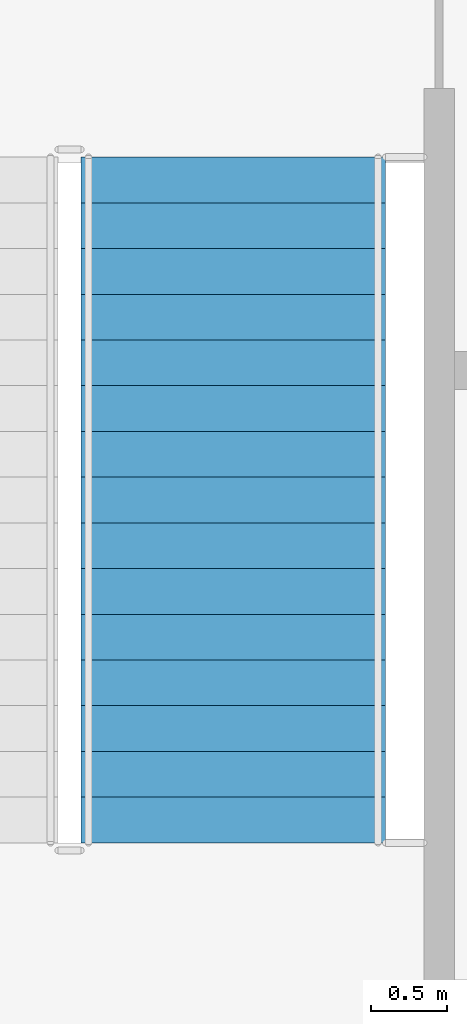
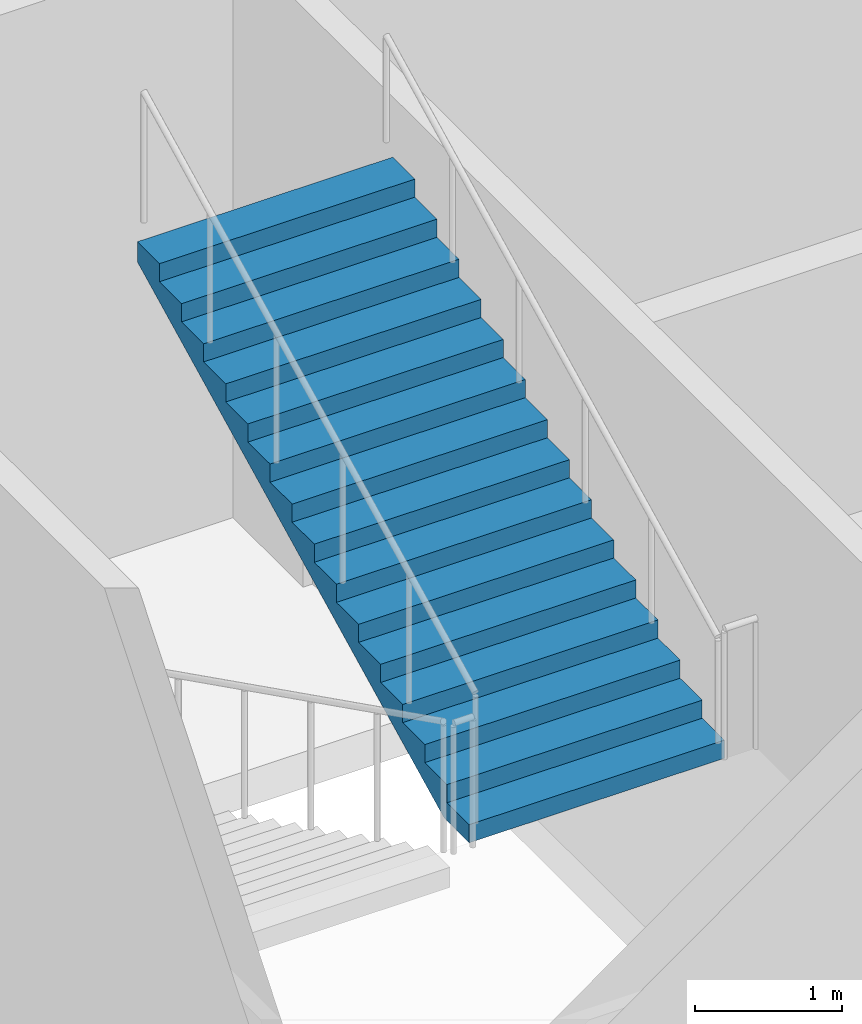
# One storey, part 79 of 100: 1 stair flight, 1 element without a shape of its own.
"""IFC4 building model written with IfcOpenShell, lengths in metres."""

from ifc_helpers import new_model, si_unit, direction, frame, origin, place, context, subcontext, project, spatial, faceted_brep, material, type_object, element, aggregate, save


model = new_model("IFC4")

# Units and contexts
model_context = context("Model", 3, precision=1e-05, world=origin(), true_north=direction((0.0, 1.0)))
body_context = subcontext(model_context, "Body", "Model", "MODEL_VIEW")
ifc_project = project(units=[si_unit("LENGTHUNIT", "METRE"), si_unit("AREAUNIT", "SQUARE_METRE"), si_unit("VOLUMEUNIT", "CUBIC_METRE"), si_unit("PLANEANGLEUNIT", "RADIAN"), si_unit("MASSUNIT", "GRAM", prefix="KILO")], contexts=[model_context])

# Site, building, storey
site_placement = place(None, origin())
site = spatial("IfcSite", under=ifc_project, at=site_placement, CompositionType="ELEMENT")
building_placement = place(site_placement, origin())
building = spatial("IfcBuilding", under=site, at=building_placement, Name="Kiln Court Media Centre", CompositionType="ELEMENT")
storey_placement = place(building_placement, frame((0.0, 0.0, 15.0)))
storey = spatial("IfcBuildingStorey", under=building, at=storey_placement, Name="L03", CompositionType="ELEMENT", Elevation=15.0)

# Stair, stair flight
ifc_material_1 = material(Name="Concrete C40/50", Category="concrete")
stair_type = type_object("IfcStairType", Name="Concrete C40/50 dog-leg stair 2000 wide, 150 riser", PredefinedType="HALF_TURN_STAIR", material=ifc_material_1)
stair_placement = place(storey_placement, origin())
stair = element("IfcStair", 1, at=stair_placement, inside=storey, type_object=stair_type, Name="ST-07 L03", PredefinedType="HALF_TURN_STAIR")
ifc_material_2 = material(Name="Concrete C40/50", Category="concrete")
stair_flight_type = type_object("IfcStairFlightType", Name="Concrete C40/50 stair flight 2000 wide, 150 riser, 300 going", PredefinedType="STRAIGHT", material=ifc_material_2)
stair_flight_placement = place(storey_placement, frame((3.35009765625, 59.89990234375, 2.39990234375), z_axis=(0.0, 0.0, 1.0), x_axis=(0.0, 1.0, 0.0)))
stair_flight = element("IfcStairFlight", 2, at=stair_flight_placement, type_object=stair_flight_type, Name="L03-ST-5005 flight 5011", NumberOfRisers=16, NumberOfTreads=15, PredefinedType="STRAIGHT", RiserHeight=0.15, TreadLength=0.3, context=body_context, shape_type="Brep", body=[
    faceted_brep([(0.335205078125, -1.0, 0.0), (4.5, -1.0, 2.08251953125), (4.5, -1.0, 2.25), (4.199951171875, -1.0, 2.25), (4.199951171875, -1.0, 2.10009765625), (3.89990234375, -1.0, 2.10009765625), (3.89990234375, -1.0, 1.949951171875), (3.60009765625, -1.0, 1.949951171875), (3.60009765625, -1.0, 1.800048828125), (3.300048828125, -1.0, 1.800048828125), (3.300048828125, -1.0, 1.64990234375), (3.0, -1.0, 1.64990234375), (3.0, -1.0, 1.5), (2.699951171875, -1.0, 1.5), (2.699951171875, -1.0, 1.35009765625), (2.39990234375, -1.0, 1.35009765625), (2.39990234375, -1.0, 1.199951171875), (2.10009765625, -1.0, 1.199951171875), (2.10009765625, -1.0, 1.050048828125), (1.800048828125, -1.0, 1.050048828125), (1.800048828125, -1.0, 0.89990234375), (1.5, -1.0, 0.89990234375), (1.5, -1.0, 0.75), (1.199951171875, -1.0, 0.75), (1.199951171875, -1.0, 0.60009765625), (0.89990234375, -1.0, 0.60009765625), (0.89990234375, -1.0, 0.449951171875), (0.60009765625, -1.0, 0.449951171875), (0.60009765625, -1.0, 0.300048828125), (0.300048828125, -1.0, 0.300048828125), (0.300048828125, -1.0, 0.14990234375), (0.0, -1.0, 0.14990234375), (0.0, -1.0, 0.0), (0.0, 1.0, 0.0), (0.0, 1.0, 0.14990234375), (0.300048828125, 1.0, 0.14990234375), (0.300048828125, 1.0, 0.300048828125), (0.60009765625, 1.0, 0.300048828125), (0.60009765625, 1.0, 0.449951171875), (0.89990234375, 1.0, 0.449951171875), (0.89990234375, 1.0, 0.60009765625), (1.199951171875, 1.0, 0.60009765625), (1.199951171875, 1.0, 0.75), (1.5, 1.0, 0.75), (1.5, 1.0, 0.89990234375), (1.800048828125, 1.0, 0.89990234375), (1.800048828125, 1.0, 1.050048828125), (2.10009765625, 1.0, 1.050048828125), (2.10009765625, 1.0, 1.199951171875), (2.39990234375, 1.0, 1.199951171875), (2.39990234375, 1.0, 1.35009765625), (2.699951171875, 1.0, 1.35009765625), (2.699951171875, 1.0, 1.5), (3.0, 1.0, 1.5), (3.0, 1.0, 1.64990234375), (3.300048828125, 1.0, 1.64990234375), (3.300048828125, 1.0, 1.800048828125), (3.60009765625, 1.0, 1.800048828125), (3.60009765625, 1.0, 1.949951171875), (3.89990234375, 1.0, 1.949951171875), (3.89990234375, 1.0, 2.10009765625), (4.199951171875, 1.0, 2.10009765625), (4.199951171875, 1.0, 2.25), (4.5, 1.0, 2.25), (4.5, 1.0, 2.08251953125), (0.335205078125, 1.0, 0.0), (4.5, 0.10009765625, 2.08251953125), (0.335205078125, 0.10009765625, 0.0), (4.5, 0.080078125, 2.08251953125), (0.335205078125, 0.080078125, 0.0), (4.5, 0.06005859375, 2.08251953125), (0.335205078125, 0.06005859375, 0.0), (4.5, 0.0400390625, 2.08251953125), (0.335205078125, 0.0400390625, 0.0), (4.5, 0.02001953125, 2.08251953125), (0.335205078125, 0.02001953125, 0.0), (4.5, 0.0, 2.08251953125), (0.335205078125, 0.0, 0.0), (4.5, -0.02001953125, 2.08251953125), (0.335205078125, -0.02001953125, 0.0), (4.5, -0.0400390625, 2.08251953125), (0.335205078125, -0.0400390625, 0.0), (4.5, -0.06005859375, 2.08251953125), (0.335205078125, -0.06005859375, 0.0), (4.5, -0.080078125, 2.08251953125), (0.335205078125, -0.080078125, 0.0), (4.5, -0.10009765625, 2.08251953125), (0.335205078125, -0.10009765625, 0.0), (4.5, 0.10009765625, 2.25), (4.5, 0.080078125, 2.25), (4.5, 0.06005859375, 2.25), (4.5, 0.0400390625, 2.25), (4.5, 0.02001953125, 2.25), (4.5, 0.0, 2.25), (4.5, -0.02001953125, 2.25), (4.5, -0.0400390625, 2.25), (4.5, -0.06005859375, 2.25), (4.5, -0.080078125, 2.25), (4.5, -0.10009765625, 2.25), (4.199951171875, 0.10009765625, 2.25), (4.199951171875, 0.080078125, 2.25), (4.199951171875, 0.06005859375, 2.25), (4.199951171875, 0.0400390625, 2.25), (4.199951171875, 0.02001953125, 2.25), (4.199951171875, 0.0, 2.25), (4.199951171875, -0.02001953125, 2.25), (4.199951171875, -0.0400390625, 2.25), (4.199951171875, -0.06005859375, 2.25), (4.199951171875, -0.080078125, 2.25), (4.199951171875, -0.10009765625, 2.25), (4.199951171875, 0.10009765625, 2.10009765625), (4.199951171875, 0.080078125, 2.10009765625), (4.199951171875, 0.06005859375, 2.10009765625), (4.199951171875, 0.0400390625, 2.10009765625), (4.199951171875, 0.02001953125, 2.10009765625), (4.199951171875, 0.0, 2.10009765625), (4.199951171875, -0.02001953125, 2.10009765625), (4.199951171875, -0.0400390625, 2.10009765625), (4.199951171875, -0.06005859375, 2.10009765625), (4.199951171875, -0.080078125, 2.10009765625), (4.199951171875, -0.10009765625, 2.10009765625), (3.89990234375, 0.10009765625, 2.10009765625), (3.89990234375, 0.080078125, 2.10009765625), (3.89990234375, 0.06005859375, 2.10009765625), (3.89990234375, 0.0400390625, 2.10009765625), (3.89990234375, 0.02001953125, 2.10009765625), (3.89990234375, 0.0, 2.10009765625), (3.89990234375, -0.02001953125, 2.10009765625), (3.89990234375, -0.0400390625, 2.10009765625), (3.89990234375, -0.06005859375, 2.10009765625), (3.89990234375, -0.080078125, 2.10009765625), (3.89990234375, -0.10009765625, 2.10009765625), (3.89990234375, 0.10009765625, 1.949951171875), (3.89990234375, 0.080078125, 1.949951171875), (3.89990234375, 0.06005859375, 1.949951171875), (3.89990234375, 0.0400390625, 1.949951171875), (3.89990234375, 0.02001953125, 1.949951171875), (3.89990234375, 0.0, 1.949951171875), (3.89990234375, -0.02001953125, 1.949951171875), (3.89990234375, -0.0400390625, 1.949951171875), (3.89990234375, -0.06005859375, 1.949951171875), (3.89990234375, -0.080078125, 1.949951171875), (3.89990234375, -0.10009765625, 1.949951171875), (3.60009765625, 0.10009765625, 1.949951171875), (3.60009765625, 0.080078125, 1.949951171875), (3.60009765625, 0.06005859375, 1.949951171875), (3.60009765625, 0.0400390625, 1.949951171875), (3.60009765625, 0.02001953125, 1.949951171875), (3.60009765625, 0.0, 1.949951171875), (3.60009765625, -0.02001953125, 1.949951171875), (3.60009765625, -0.0400390625, 1.949951171875), (3.60009765625, -0.06005859375, 1.949951171875), (3.60009765625, -0.080078125, 1.949951171875), (3.60009765625, -0.10009765625, 1.949951171875), (3.60009765625, 0.10009765625, 1.800048828125), (3.60009765625, 0.080078125, 1.800048828125), (3.60009765625, 0.06005859375, 1.800048828125), (3.60009765625, 0.0400390625, 1.800048828125), (3.60009765625, 0.02001953125, 1.800048828125), (3.60009765625, 0.0, 1.800048828125), (3.60009765625, -0.02001953125, 1.800048828125), (3.60009765625, -0.0400390625, 1.800048828125), (3.60009765625, -0.06005859375, 1.800048828125), (3.60009765625, -0.080078125, 1.800048828125), (3.60009765625, -0.10009765625, 1.800048828125), (3.300048828125, 0.10009765625, 1.800048828125), (3.300048828125, 0.080078125, 1.800048828125), (3.300048828125, 0.06005859375, 1.800048828125), (3.300048828125, 0.0400390625, 1.800048828125), (3.300048828125, 0.02001953125, 1.800048828125), (3.300048828125, 0.0, 1.800048828125), (3.300048828125, -0.02001953125, 1.800048828125), (3.300048828125, -0.0400390625, 1.800048828125), (3.300048828125, -0.06005859375, 1.800048828125), (3.300048828125, -0.080078125, 1.800048828125), (3.300048828125, -0.10009765625, 1.800048828125), (3.300048828125, 0.10009765625, 1.64990234375), (3.300048828125, 0.080078125, 1.64990234375), (3.300048828125, 0.06005859375, 1.64990234375), (3.300048828125, 0.0400390625, 1.64990234375), (3.300048828125, 0.02001953125, 1.64990234375), (3.300048828125, 0.0, 1.64990234375), (3.300048828125, -0.02001953125, 1.64990234375), (3.300048828125, -0.0400390625, 1.64990234375), (3.300048828125, -0.06005859375, 1.64990234375), (3.300048828125, -0.080078125, 1.64990234375), (3.300048828125, -0.10009765625, 1.64990234375), (3.0, 0.10009765625, 1.64990234375), (3.0, 0.080078125, 1.64990234375), (3.0, 0.06005859375, 1.64990234375), (3.0, 0.0400390625, 1.64990234375), (3.0, 0.02001953125, 1.64990234375), (3.0, 0.0, 1.64990234375), (3.0, -0.02001953125, 1.64990234375), (3.0, -0.0400390625, 1.64990234375), (3.0, -0.06005859375, 1.64990234375), (3.0, -0.080078125, 1.64990234375), (3.0, -0.10009765625, 1.64990234375), (3.0, 0.10009765625, 1.5), (3.0, 0.080078125, 1.5), (3.0, 0.06005859375, 1.5), (3.0, 0.0400390625, 1.5), (3.0, 0.02001953125, 1.5), (3.0, 0.0, 1.5), (3.0, -0.02001953125, 1.5), (3.0, -0.0400390625, 1.5), (3.0, -0.06005859375, 1.5), (3.0, -0.080078125, 1.5), (3.0, -0.10009765625, 1.5), (2.699951171875, 0.10009765625, 1.5), (2.699951171875, 0.080078125, 1.5), (2.699951171875, 0.06005859375, 1.5), (2.699951171875, 0.0400390625, 1.5), (2.699951171875, 0.02001953125, 1.5), (2.699951171875, 0.0, 1.5), (2.699951171875, -0.02001953125, 1.5), (2.699951171875, -0.0400390625, 1.5), (2.699951171875, -0.06005859375, 1.5), (2.699951171875, -0.080078125, 1.5), (2.699951171875, -0.10009765625, 1.5), (2.699951171875, 0.10009765625, 1.35009765625), (2.699951171875, 0.080078125, 1.35009765625), (2.699951171875, 0.06005859375, 1.35009765625), (2.699951171875, 0.0400390625, 1.35009765625), (2.699951171875, 0.02001953125, 1.35009765625), (2.699951171875, 0.0, 1.35009765625), (2.699951171875, -0.02001953125, 1.35009765625), (2.699951171875, -0.0400390625, 1.35009765625), (2.699951171875, -0.06005859375, 1.35009765625), (2.699951171875, -0.080078125, 1.35009765625), (2.699951171875, -0.10009765625, 1.35009765625), (2.39990234375, 0.10009765625, 1.35009765625), (2.39990234375, 0.080078125, 1.35009765625), (2.39990234375, 0.06005859375, 1.35009765625), (2.39990234375, 0.0400390625, 1.35009765625), (2.39990234375, 0.02001953125, 1.35009765625), (2.39990234375, 0.0, 1.35009765625), (2.39990234375, -0.02001953125, 1.35009765625), (2.39990234375, -0.0400390625, 1.35009765625), (2.39990234375, -0.06005859375, 1.35009765625), (2.39990234375, -0.080078125, 1.35009765625), (2.39990234375, -0.10009765625, 1.35009765625), (2.39990234375, 0.10009765625, 1.199951171875), (2.39990234375, 0.080078125, 1.199951171875), (2.39990234375, 0.06005859375, 1.199951171875), (2.39990234375, 0.0400390625, 1.199951171875), (2.39990234375, 0.02001953125, 1.199951171875), (2.39990234375, 0.0, 1.199951171875), (2.39990234375, -0.02001953125, 1.199951171875), (2.39990234375, -0.0400390625, 1.199951171875), (2.39990234375, -0.06005859375, 1.199951171875), (2.39990234375, -0.080078125, 1.199951171875), (2.39990234375, -0.10009765625, 1.199951171875), (2.10009765625, 0.10009765625, 1.199951171875), (2.10009765625, 0.080078125, 1.199951171875), (2.10009765625, 0.06005859375, 1.199951171875), (2.10009765625, 0.0400390625, 1.199951171875), (2.10009765625, 0.02001953125, 1.199951171875), (2.10009765625, 0.0, 1.199951171875), (2.10009765625, -0.02001953125, 1.199951171875), (2.10009765625, -0.0400390625, 1.199951171875), (2.10009765625, -0.06005859375, 1.199951171875), (2.10009765625, -0.080078125, 1.199951171875), (2.10009765625, -0.10009765625, 1.199951171875), (2.10009765625, 0.10009765625, 1.050048828125), (2.10009765625, 0.080078125, 1.050048828125), (2.10009765625, 0.06005859375, 1.050048828125), (2.10009765625, 0.0400390625, 1.050048828125), (2.10009765625, 0.02001953125, 1.050048828125), (2.10009765625, 0.0, 1.050048828125), (2.10009765625, -0.02001953125, 1.050048828125), (2.10009765625, -0.0400390625, 1.050048828125), (2.10009765625, -0.06005859375, 1.050048828125), (2.10009765625, -0.080078125, 1.050048828125), (2.10009765625, -0.10009765625, 1.050048828125), (1.800048828125, 0.10009765625, 1.050048828125), (1.800048828125, 0.080078125, 1.050048828125), (1.800048828125, 0.06005859375, 1.050048828125), (1.800048828125, 0.0400390625, 1.050048828125), (1.800048828125, 0.02001953125, 1.050048828125), (1.800048828125, 0.0, 1.050048828125), (1.800048828125, -0.02001953125, 1.050048828125), (1.800048828125, -0.0400390625, 1.050048828125), (1.800048828125, -0.06005859375, 1.050048828125), (1.800048828125, -0.080078125, 1.050048828125), (1.800048828125, -0.10009765625, 1.050048828125), (1.800048828125, 0.10009765625, 0.89990234375), (1.800048828125, 0.080078125, 0.89990234375), (1.800048828125, 0.06005859375, 0.89990234375), (1.800048828125, 0.0400390625, 0.89990234375), (1.800048828125, 0.02001953125, 0.89990234375), (1.800048828125, 0.0, 0.89990234375), (1.800048828125, -0.02001953125, 0.89990234375), (1.800048828125, -0.0400390625, 0.89990234375), (1.800048828125, -0.06005859375, 0.89990234375), (1.800048828125, -0.080078125, 0.89990234375), (1.800048828125, -0.10009765625, 0.89990234375), (1.5, 0.10009765625, 0.89990234375), (1.5, 0.080078125, 0.89990234375), (1.5, 0.06005859375, 0.89990234375), (1.5, 0.0400390625, 0.89990234375), (1.5, 0.02001953125, 0.89990234375), (1.5, 0.0, 0.89990234375), (1.5, -0.02001953125, 0.89990234375), (1.5, -0.0400390625, 0.89990234375), (1.5, -0.06005859375, 0.89990234375), (1.5, -0.080078125, 0.89990234375), (1.5, -0.10009765625, 0.89990234375), (1.5, 0.10009765625, 0.75), (1.5, 0.080078125, 0.75), (1.5, 0.06005859375, 0.75), (1.5, 0.0400390625, 0.75), (1.5, 0.02001953125, 0.75), (1.5, 0.0, 0.75), (1.5, -0.02001953125, 0.75), (1.5, -0.0400390625, 0.75), (1.5, -0.06005859375, 0.75), (1.5, -0.080078125, 0.75), (1.5, -0.10009765625, 0.75), (1.199951171875, 0.10009765625, 0.75), (1.199951171875, 0.080078125, 0.75), (1.199951171875, 0.06005859375, 0.75), (1.199951171875, 0.0400390625, 0.75), (1.199951171875, 0.02001953125, 0.75), (1.199951171875, 0.0, 0.75), (1.199951171875, -0.02001953125, 0.75), (1.199951171875, -0.0400390625, 0.75), (1.199951171875, -0.06005859375, 0.75), (1.199951171875, -0.080078125, 0.75), (1.199951171875, -0.10009765625, 0.75), (1.199951171875, 0.10009765625, 0.60009765625), (1.199951171875, 0.080078125, 0.60009765625), (1.199951171875, 0.06005859375, 0.60009765625), (1.199951171875, 0.0400390625, 0.60009765625), (1.199951171875, 0.02001953125, 0.60009765625), (1.199951171875, 0.0, 0.60009765625), (1.199951171875, -0.02001953125, 0.60009765625), (1.199951171875, -0.0400390625, 0.60009765625), (1.199951171875, -0.06005859375, 0.60009765625), (1.199951171875, -0.080078125, 0.60009765625), (1.199951171875, -0.10009765625, 0.60009765625), (0.89990234375, 0.10009765625, 0.60009765625), (0.89990234375, 0.080078125, 0.60009765625), (0.89990234375, 0.06005859375, 0.60009765625), (0.89990234375, 0.0400390625, 0.60009765625), (0.89990234375, 0.02001953125, 0.60009765625), (0.89990234375, 0.0, 0.60009765625), (0.89990234375, -0.02001953125, 0.60009765625), (0.89990234375, -0.0400390625, 0.60009765625), (0.89990234375, -0.06005859375, 0.60009765625), (0.89990234375, -0.080078125, 0.60009765625), (0.89990234375, -0.10009765625, 0.60009765625), (0.89990234375, 0.10009765625, 0.449951171875), (0.89990234375, 0.080078125, 0.449951171875), (0.89990234375, 0.06005859375, 0.449951171875), (0.89990234375, 0.0400390625, 0.449951171875), (0.89990234375, 0.02001953125, 0.449951171875), (0.89990234375, 0.0, 0.449951171875), (0.89990234375, -0.02001953125, 0.449951171875), (0.89990234375, -0.0400390625, 0.449951171875), (0.89990234375, -0.06005859375, 0.449951171875), (0.89990234375, -0.080078125, 0.449951171875), (0.89990234375, -0.10009765625, 0.449951171875), (0.60009765625, 0.10009765625, 0.449951171875), (0.60009765625, 0.080078125, 0.449951171875), (0.60009765625, 0.06005859375, 0.449951171875), (0.60009765625, 0.0400390625, 0.449951171875), (0.60009765625, 0.02001953125, 0.449951171875), (0.60009765625, 0.0, 0.449951171875), (0.60009765625, -0.02001953125, 0.449951171875), (0.60009765625, -0.0400390625, 0.449951171875), (0.60009765625, -0.06005859375, 0.449951171875), (0.60009765625, -0.080078125, 0.449951171875), (0.60009765625, -0.10009765625, 0.449951171875), (0.60009765625, 0.10009765625, 0.300048828125), (0.60009765625, 0.080078125, 0.300048828125), (0.60009765625, 0.06005859375, 0.300048828125), (0.60009765625, 0.0400390625, 0.300048828125), (0.60009765625, 0.02001953125, 0.300048828125), (0.60009765625, 0.0, 0.300048828125), (0.60009765625, -0.02001953125, 0.300048828125), (0.60009765625, -0.0400390625, 0.300048828125), (0.60009765625, -0.06005859375, 0.300048828125), (0.60009765625, -0.080078125, 0.300048828125), (0.60009765625, -0.10009765625, 0.300048828125), (0.300048828125, 0.10009765625, 0.300048828125), (0.300048828125, 0.080078125, 0.300048828125), (0.300048828125, 0.06005859375, 0.300048828125), (0.300048828125, 0.0400390625, 0.300048828125), (0.300048828125, 0.02001953125, 0.300048828125), (0.300048828125, 0.0, 0.300048828125), (0.300048828125, -0.02001953125, 0.300048828125), (0.300048828125, -0.0400390625, 0.300048828125), (0.300048828125, -0.06005859375, 0.300048828125), (0.300048828125, -0.080078125, 0.300048828125), (0.300048828125, -0.10009765625, 0.300048828125), (0.300048828125, 0.10009765625, 0.14990234375), (0.300048828125, 0.080078125, 0.14990234375), (0.300048828125, 0.06005859375, 0.14990234375), (0.300048828125, 0.0400390625, 0.14990234375), (0.300048828125, 0.02001953125, 0.14990234375), (0.300048828125, 0.0, 0.14990234375), (0.300048828125, -0.02001953125, 0.14990234375), (0.300048828125, -0.0400390625, 0.14990234375), (0.300048828125, -0.06005859375, 0.14990234375), (0.300048828125, -0.080078125, 0.14990234375), (0.300048828125, -0.10009765625, 0.14990234375), (0.0, 0.10009765625, 0.14990234375), (0.0, 0.080078125, 0.14990234375), (0.0, 0.06005859375, 0.14990234375), (0.0, 0.0400390625, 0.14990234375), (0.0, 0.02001953125, 0.14990234375), (0.0, 0.0, 0.14990234375), (0.0, -0.02001953125, 0.14990234375), (0.0, -0.0400390625, 0.14990234375), (0.0, -0.06005859375, 0.14990234375), (0.0, -0.080078125, 0.14990234375), (0.0, -0.10009765625, 0.14990234375), (0.0, 0.10009765625, 0.0), (0.0, 0.080078125, 0.0), (0.0, 0.06005859375, 0.0), (0.0, 0.0400390625, 0.0), (0.0, 0.02001953125, 0.0), (0.0, 0.0, 0.0), (0.0, -0.02001953125, 0.0), (0.0, -0.0400390625, 0.0), (0.0, -0.06005859375, 0.0), (0.0, -0.080078125, 0.0), (0.0, -0.10009765625, 0.0)], [[[0, 1, 2, 3, 4, 5, 6, 7, 8, 9, 10, 11, 12, 13, 14, 15, 16, 17, 18, 19, 20, 21, 22, 23, 24, 25, 26, 27, 28, 29, 30, 31, 32]], [[33, 34, 35, 36, 37, 38, 39, 40, 41, 42, 43, 44, 45, 46, 47, 48, 49, 50, 51, 52, 53, 54, 55, 56, 57, 58, 59, 60, 61, 62, 63, 64, 65]], [[65, 64, 66, 67]], [[67, 66, 68, 69]], [[69, 68, 70, 71]], [[71, 70, 72, 73]], [[73, 72, 74, 75]], [[75, 74, 76, 77]], [[77, 76, 78, 79]], [[79, 78, 80, 81]], [[81, 80, 82, 83]], [[83, 82, 84, 85]], [[85, 84, 86, 87]], [[87, 86, 1, 0]], [[64, 63, 88, 66]], [[66, 88, 89, 68]], [[68, 89, 90, 70]], [[70, 90, 91, 72]], [[72, 91, 92, 74]], [[74, 92, 93, 76]], [[76, 93, 94, 78]], [[78, 94, 95, 80]], [[80, 95, 96, 82]], [[82, 96, 97, 84]], [[84, 97, 98, 86]], [[86, 98, 2, 1]], [[63, 62, 99, 88]], [[88, 99, 100, 89]], [[89, 100, 101, 90]], [[90, 101, 102, 91]], [[91, 102, 103, 92]], [[92, 103, 104, 93]], [[93, 104, 105, 94]], [[94, 105, 106, 95]], [[95, 106, 107, 96]], [[96, 107, 108, 97]], [[97, 108, 109, 98]], [[98, 109, 3, 2]], [[62, 61, 110, 99]], [[99, 110, 111, 100]], [[100, 111, 112, 101]], [[101, 112, 113, 102]], [[102, 113, 114, 103]], [[103, 114, 115, 104]], [[104, 115, 116, 105]], [[105, 116, 117, 106]], [[106, 117, 118, 107]], [[107, 118, 119, 108]], [[108, 119, 120, 109]], [[109, 120, 4, 3]], [[61, 60, 121, 110]], [[110, 121, 122, 111]], [[111, 122, 123, 112]], [[112, 123, 124, 113]], [[113, 124, 125, 114]], [[114, 125, 126, 115]], [[115, 126, 127, 116]], [[116, 127, 128, 117]], [[117, 128, 129, 118]], [[118, 129, 130, 119]], [[119, 130, 131, 120]], [[120, 131, 5, 4]], [[60, 59, 132, 121]], [[121, 132, 133, 122]], [[122, 133, 134, 123]], [[123, 134, 135, 124]], [[124, 135, 136, 125]], [[125, 136, 137, 126]], [[126, 137, 138, 127]], [[127, 138, 139, 128]], [[128, 139, 140, 129]], [[129, 140, 141, 130]], [[130, 141, 142, 131]], [[131, 142, 6, 5]], [[59, 58, 143, 132]], [[132, 143, 144, 133]], [[133, 144, 145, 134]], [[134, 145, 146, 135]], [[135, 146, 147, 136]], [[136, 147, 148, 137]], [[137, 148, 149, 138]], [[138, 149, 150, 139]], [[139, 150, 151, 140]], [[140, 151, 152, 141]], [[141, 152, 153, 142]], [[142, 153, 7, 6]], [[58, 57, 154, 143]], [[143, 154, 155, 144]], [[144, 155, 156, 145]], [[145, 156, 157, 146]], [[146, 157, 158, 147]], [[147, 158, 159, 148]], [[148, 159, 160, 149]], [[149, 160, 161, 150]], [[150, 161, 162, 151]], [[151, 162, 163, 152]], [[152, 163, 164, 153]], [[153, 164, 8, 7]], [[57, 56, 165, 154]], [[154, 165, 166, 155]], [[155, 166, 167, 156]], [[156, 167, 168, 157]], [[157, 168, 169, 158]], [[158, 169, 170, 159]], [[159, 170, 171, 160]], [[160, 171, 172, 161]], [[161, 172, 173, 162]], [[162, 173, 174, 163]], [[163, 174, 175, 164]], [[164, 175, 9, 8]], [[56, 55, 176, 165]], [[165, 176, 177, 166]], [[166, 177, 178, 167]], [[167, 178, 179, 168]], [[168, 179, 180, 169]], [[169, 180, 181, 170]], [[170, 181, 182, 171]], [[171, 182, 183, 172]], [[172, 183, 184, 173]], [[173, 184, 185, 174]], [[174, 185, 186, 175]], [[175, 186, 10, 9]], [[55, 54, 187, 176]], [[176, 187, 188, 177]], [[177, 188, 189, 178]], [[178, 189, 190, 179]], [[179, 190, 191, 180]], [[180, 191, 192, 181]], [[181, 192, 193, 182]], [[182, 193, 194, 183]], [[183, 194, 195, 184]], [[184, 195, 196, 185]], [[185, 196, 197, 186]], [[186, 197, 11, 10]], [[54, 53, 198, 187]], [[187, 198, 199, 188]], [[188, 199, 200, 189]], [[189, 200, 201, 190]], [[190, 201, 202, 191]], [[191, 202, 203, 192]], [[192, 203, 204, 193]], [[193, 204, 205, 194]], [[194, 205, 206, 195]], [[195, 206, 207, 196]], [[196, 207, 208, 197]], [[197, 208, 12, 11]], [[53, 52, 209, 198]], [[198, 209, 210, 199]], [[199, 210, 211, 200]], [[200, 211, 212, 201]], [[201, 212, 213, 202]], [[202, 213, 214, 203]], [[203, 214, 215, 204]], [[204, 215, 216, 205]], [[205, 216, 217, 206]], [[206, 217, 218, 207]], [[207, 218, 219, 208]], [[208, 219, 13, 12]], [[52, 51, 220, 209]], [[209, 220, 221, 210]], [[210, 221, 222, 211]], [[211, 222, 223, 212]], [[212, 223, 224, 213]], [[213, 224, 225, 214]], [[214, 225, 226, 215]], [[215, 226, 227, 216]], [[216, 227, 228, 217]], [[217, 228, 229, 218]], [[218, 229, 230, 219]], [[219, 230, 14, 13]], [[51, 50, 231, 220]], [[220, 231, 232, 221]], [[221, 232, 233, 222]], [[222, 233, 234, 223]], [[223, 234, 235, 224]], [[224, 235, 236, 225]], [[225, 236, 237, 226]], [[226, 237, 238, 227]], [[227, 238, 239, 228]], [[228, 239, 240, 229]], [[229, 240, 241, 230]], [[230, 241, 15, 14]], [[50, 49, 242, 231]], [[231, 242, 243, 232]], [[232, 243, 244, 233]], [[233, 244, 245, 234]], [[234, 245, 246, 235]], [[235, 246, 247, 236]], [[236, 247, 248, 237]], [[237, 248, 249, 238]], [[238, 249, 250, 239]], [[239, 250, 251, 240]], [[240, 251, 252, 241]], [[241, 252, 16, 15]], [[49, 48, 253, 242]], [[242, 253, 254, 243]], [[243, 254, 255, 244]], [[244, 255, 256, 245]], [[245, 256, 257, 246]], [[246, 257, 258, 247]], [[247, 258, 259, 248]], [[248, 259, 260, 249]], [[249, 260, 261, 250]], [[250, 261, 262, 251]], [[251, 262, 263, 252]], [[252, 263, 17, 16]], [[48, 47, 264, 253]], [[253, 264, 265, 254]], [[254, 265, 266, 255]], [[255, 266, 267, 256]], [[256, 267, 268, 257]], [[257, 268, 269, 258]], [[258, 269, 270, 259]], [[259, 270, 271, 260]], [[260, 271, 272, 261]], [[261, 272, 273, 262]], [[262, 273, 274, 263]], [[263, 274, 18, 17]], [[47, 46, 275, 264]], [[264, 275, 276, 265]], [[265, 276, 277, 266]], [[266, 277, 278, 267]], [[267, 278, 279, 268]], [[268, 279, 280, 269]], [[269, 280, 281, 270]], [[270, 281, 282, 271]], [[271, 282, 283, 272]], [[272, 283, 284, 273]], [[273, 284, 285, 274]], [[274, 285, 19, 18]], [[46, 45, 286, 275]], [[275, 286, 287, 276]], [[276, 287, 288, 277]], [[277, 288, 289, 278]], [[278, 289, 290, 279]], [[279, 290, 291, 280]], [[280, 291, 292, 281]], [[281, 292, 293, 282]], [[282, 293, 294, 283]], [[283, 294, 295, 284]], [[284, 295, 296, 285]], [[285, 296, 20, 19]], [[45, 44, 297, 286]], [[286, 297, 298, 287]], [[287, 298, 299, 288]], [[288, 299, 300, 289]], [[289, 300, 301, 290]], [[290, 301, 302, 291]], [[291, 302, 303, 292]], [[292, 303, 304, 293]], [[293, 304, 305, 294]], [[294, 305, 306, 295]], [[295, 306, 307, 296]], [[296, 307, 21, 20]], [[44, 43, 308, 297]], [[297, 308, 309, 298]], [[298, 309, 310, 299]], [[299, 310, 311, 300]], [[300, 311, 312, 301]], [[301, 312, 313, 302]], [[302, 313, 314, 303]], [[303, 314, 315, 304]], [[304, 315, 316, 305]], [[305, 316, 317, 306]], [[306, 317, 318, 307]], [[307, 318, 22, 21]], [[43, 42, 319, 308]], [[308, 319, 320, 309]], [[309, 320, 321, 310]], [[310, 321, 322, 311]], [[311, 322, 323, 312]], [[312, 323, 324, 313]], [[313, 324, 325, 314]], [[314, 325, 326, 315]], [[315, 326, 327, 316]], [[316, 327, 328, 317]], [[317, 328, 329, 318]], [[318, 329, 23, 22]], [[42, 41, 330, 319]], [[319, 330, 331, 320]], [[320, 331, 332, 321]], [[321, 332, 333, 322]], [[322, 333, 334, 323]], [[323, 334, 335, 324]], [[324, 335, 336, 325]], [[325, 336, 337, 326]], [[326, 337, 338, 327]], [[327, 338, 339, 328]], [[328, 339, 340, 329]], [[329, 340, 24, 23]], [[41, 40, 341, 330]], [[330, 341, 342, 331]], [[331, 342, 343, 332]], [[332, 343, 344, 333]], [[333, 344, 345, 334]], [[334, 345, 346, 335]], [[335, 346, 347, 336]], [[336, 347, 348, 337]], [[337, 348, 349, 338]], [[338, 349, 350, 339]], [[339, 350, 351, 340]], [[340, 351, 25, 24]], [[40, 39, 352, 341]], [[341, 352, 353, 342]], [[342, 353, 354, 343]], [[343, 354, 355, 344]], [[344, 355, 356, 345]], [[345, 356, 357, 346]], [[346, 357, 358, 347]], [[347, 358, 359, 348]], [[348, 359, 360, 349]], [[349, 360, 361, 350]], [[350, 361, 362, 351]], [[351, 362, 26, 25]], [[39, 38, 363, 352]], [[352, 363, 364, 353]], [[353, 364, 365, 354]], [[354, 365, 366, 355]], [[355, 366, 367, 356]], [[356, 367, 368, 357]], [[357, 368, 369, 358]], [[358, 369, 370, 359]], [[359, 370, 371, 360]], [[360, 371, 372, 361]], [[361, 372, 373, 362]], [[362, 373, 27, 26]], [[38, 37, 374, 363]], [[363, 374, 375, 364]], [[364, 375, 376, 365]], [[365, 376, 377, 366]], [[366, 377, 378, 367]], [[367, 378, 379, 368]], [[368, 379, 380, 369]], [[369, 380, 381, 370]], [[370, 381, 382, 371]], [[371, 382, 383, 372]], [[372, 383, 384, 373]], [[373, 384, 28, 27]], [[37, 36, 385, 374]], [[374, 385, 386, 375]], [[375, 386, 387, 376]], [[376, 387, 388, 377]], [[377, 388, 389, 378]], [[378, 389, 390, 379]], [[379, 390, 391, 380]], [[380, 391, 392, 381]], [[381, 392, 393, 382]], [[382, 393, 394, 383]], [[383, 394, 395, 384]], [[384, 395, 29, 28]], [[36, 35, 396, 385]], [[385, 396, 397, 386]], [[386, 397, 398, 387]], [[387, 398, 399, 388]], [[388, 399, 400, 389]], [[389, 400, 401, 390]], [[390, 401, 402, 391]], [[391, 402, 403, 392]], [[392, 403, 404, 393]], [[393, 404, 405, 394]], [[394, 405, 406, 395]], [[395, 406, 30, 29]], [[35, 34, 407, 396]], [[396, 407, 408, 397]], [[397, 408, 409, 398]], [[398, 409, 410, 399]], [[399, 410, 411, 400]], [[400, 411, 412, 401]], [[401, 412, 413, 402]], [[402, 413, 414, 403]], [[403, 414, 415, 404]], [[404, 415, 416, 405]], [[405, 416, 417, 406]], [[406, 417, 31, 30]], [[34, 33, 418, 407]], [[407, 418, 419, 408]], [[408, 419, 420, 409]], [[409, 420, 421, 410]], [[410, 421, 422, 411]], [[411, 422, 423, 412]], [[412, 423, 424, 413]], [[413, 424, 425, 414]], [[414, 425, 426, 415]], [[415, 426, 427, 416]], [[416, 427, 428, 417]], [[417, 428, 32, 31]], [[33, 65, 67, 418]], [[418, 67, 69, 419]], [[419, 69, 71, 420]], [[420, 71, 73, 421]], [[421, 73, 75, 422]], [[422, 75, 77, 423]], [[423, 77, 79, 424]], [[424, 79, 81, 425]], [[425, 81, 83, 426]], [[426, 83, 85, 427]], [[427, 85, 87, 428]], [[428, 87, 0, 32]]]),
])
aggregate(stair, [stair_flight])

save(model, "model.ifc")
